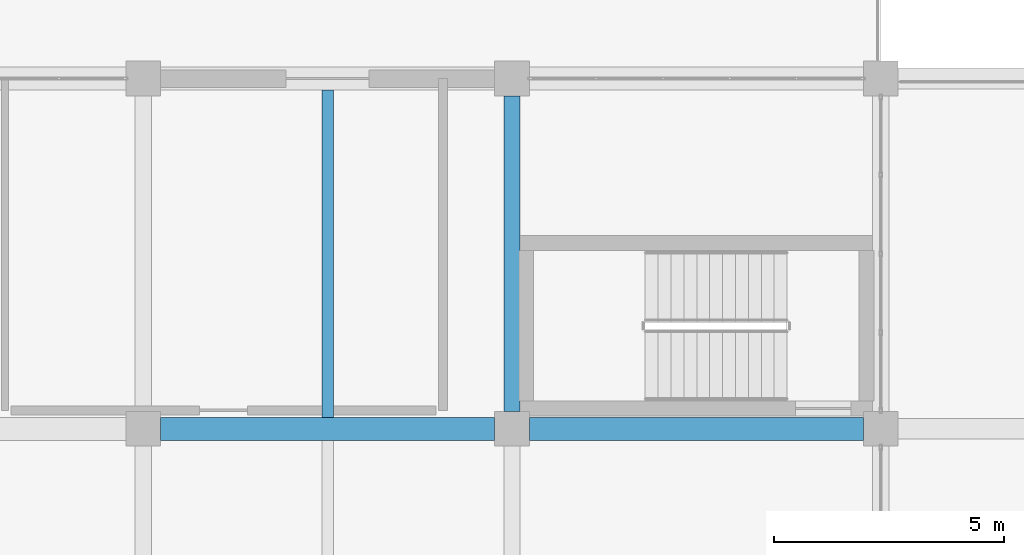
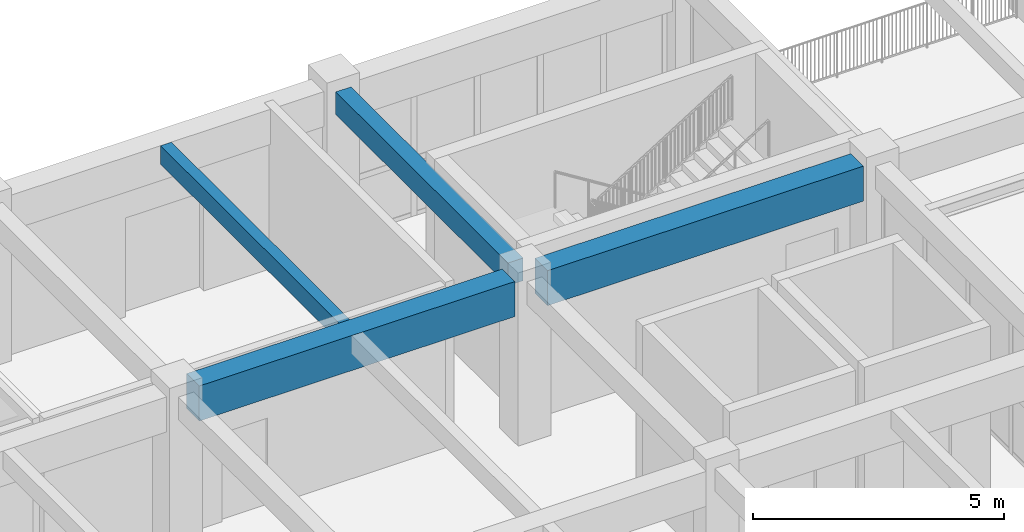
# One storey, part 26 of 63: 4 beams.
"""IFC4 building model written with IfcOpenShell, lengths in metres."""

from ifc_helpers import new_model, si_unit, direction, frame, origin, origin_2d, place, context, subcontext, project, spatial, rectangle, extrude, material, material_profile, profile_set, type_object, element, save


model = new_model("IFC4")

# Units and contexts
model_context = context("Model", 3, precision=1e-05, world=origin(), true_north=direction((0.0, 1.0)))
body_context = subcontext(model_context, "Body", "Model", "MODEL_VIEW")
ifc_project = project(units=[si_unit("LENGTHUNIT", "METRE"), si_unit("AREAUNIT", "SQUARE_METRE"), si_unit("VOLUMEUNIT", "CUBIC_METRE"), si_unit("PLANEANGLEUNIT", "RADIAN"), si_unit("MASSUNIT", "GRAM", prefix="KILO")], contexts=[model_context])

# Site, building, storey
site_placement = place(None, origin())
site = spatial("IfcSite", under=ifc_project, at=site_placement, CompositionType="ELEMENT")
building_placement = place(site_placement, origin())
building = spatial("IfcBuilding", under=site, at=building_placement, Name="Zantavel Square City Hall", CompositionType="ELEMENT")
storey_placement = place(building_placement, frame((0.0, 0.0, 14.699951171875)))
storey = spatial("IfcBuildingStorey", under=building, at=storey_placement, Name="L04", CompositionType="ELEMENT", Elevation=14.699951171875)

# Beams
ifc_material_1 = material(Name="Concrete C40/50", Category="concrete")
ifc_material_profile_1 = material_profile(ifc_material_1, rectangle(XDim=0.5, YDim=0.85009765625, at=origin_2d()), Name="RC 500x850")
ifc_profile_set_1 = profile_set([ifc_material_profile_1], Name="Concrete C40/50")
beam_type_1 = type_object("IfcBeamType", Name="Council Chamber Girder RC 500x850 C40/50", PredefinedType="BEAM", material=ifc_profile_set_1)
for number, where, z_axis, x_axis, name in (
    (1, (88.375, 60.800048828125, 3.4951171875), (1.0, 0.0, 0.0), (0.0, 1.0, 0.0), "L04 Girder BMX-L04-0880-0608"),
    (2, (96.375, 60.800048828125, 3.4951171875), (1.0, 0.0, 0.0), (0.0, 1.0, 0.0), "L04 Girder BMX-L04-0960-0608"),
):
    element("IfcBeam", number, at=place(storey_placement, frame(where, z_axis=z_axis, x_axis=x_axis)), inside=storey, type_object=beam_type_1, Name=name, PredefinedType="BEAM", context=body_context, shape_type="SweptSolid", body=[
        extrude(rectangle(XDim=0.5, YDim=0.85009765625, at=origin_2d()), origin(), (0.0, 0.0, 1.0), 7.25),
    ])
ifc_material_2 = material(Name="Concrete C35/45", Category="concrete")
ifc_material_profile_2 = material_profile(ifc_material_2, rectangle(XDim=0.25, YDim=0.449951171875, at=origin_2d()), Name="RC 250x450")
ifc_profile_set_2 = profile_set([ifc_material_profile_2], Name="Concrete C35/45")
beam_type_2 = type_object("IfcBeamType", Name="Light Floor Joist RC 250x450 C35/45", PredefinedType="JOIST", material=ifc_profile_set_2)
beam_1_placement = place(storey_placement, frame((92.0, 61.050048828125, 3.695068359375), z_axis=(0.0, 1.0, 0.0), x_axis=(-1.0, 0.0, 0.0)))
element("IfcBeam", 3, at=beam_1_placement, inside=storey, type_object=beam_type_2, Name="L04 Floor Joist JST-L04-0920-0608", PredefinedType="JOIST", context=body_context, shape_type="SweptSolid", body=[
    extrude(rectangle(XDim=0.25, YDim=0.449951171875, at=origin_2d()), origin(), (0.0, 0.0, 1.0), 7.099853515625),
])
ifc_material_profile_3 = material_profile(ifc_material_2, rectangle(XDim=0.35009765625, YDim=0.550048828125, at=origin_2d()), Name="RC 350x550")
ifc_profile_set_3 = profile_set([ifc_material_profile_3], Name="Concrete C35/45")
beam_type_3 = type_object("IfcBeamType", Name="Secondary Beam RC 350x550 C35/45", PredefinedType="BEAM", material=ifc_profile_set_3)
beam_2_placement = place(storey_placement, frame((96.0, 61.175048828125, 3.64501953125), z_axis=(0.0, 1.0, 0.0), x_axis=(-1.0, 0.0, 0.0)))
element("IfcBeam", 4, at=beam_2_placement, inside=storey, type_object=beam_type_3, Name="L04 Beam BMY-L04-0960-0608", PredefinedType="BEAM", context=body_context, shape_type="SweptSolid", body=[
    extrude(rectangle(XDim=0.35009765625, YDim=0.550048828125, at=origin_2d()), origin(), (0.0, 0.0, 1.0), 6.849853515625),
])

save(model, "model.ifc")
